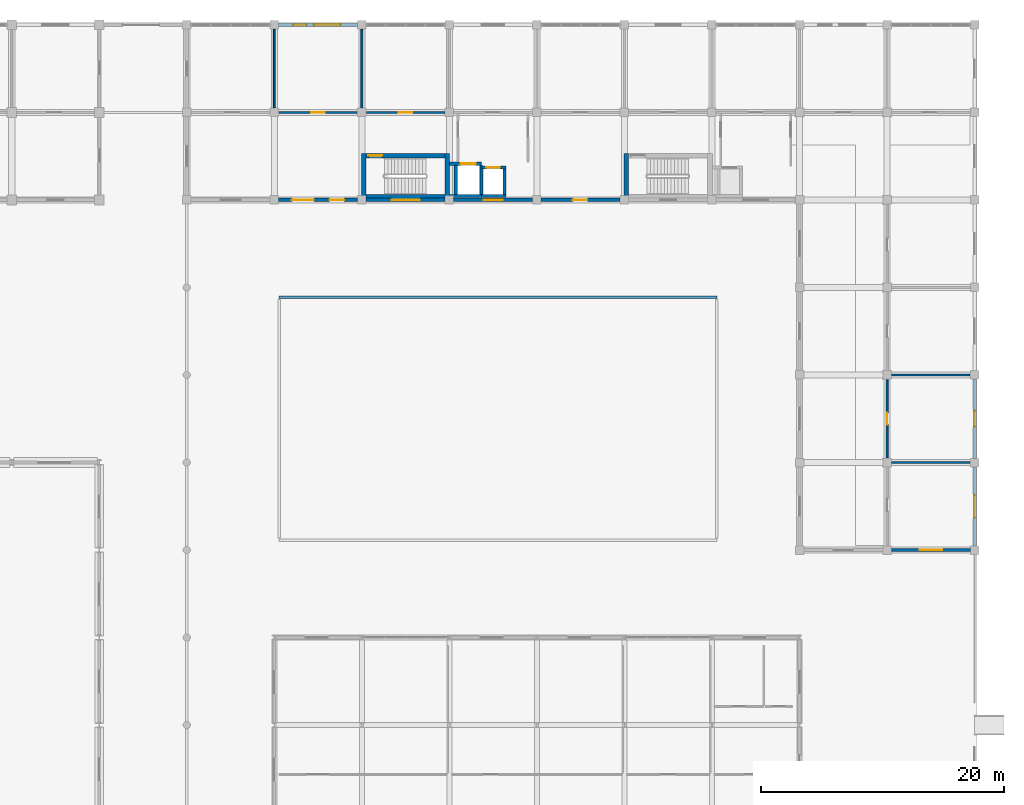
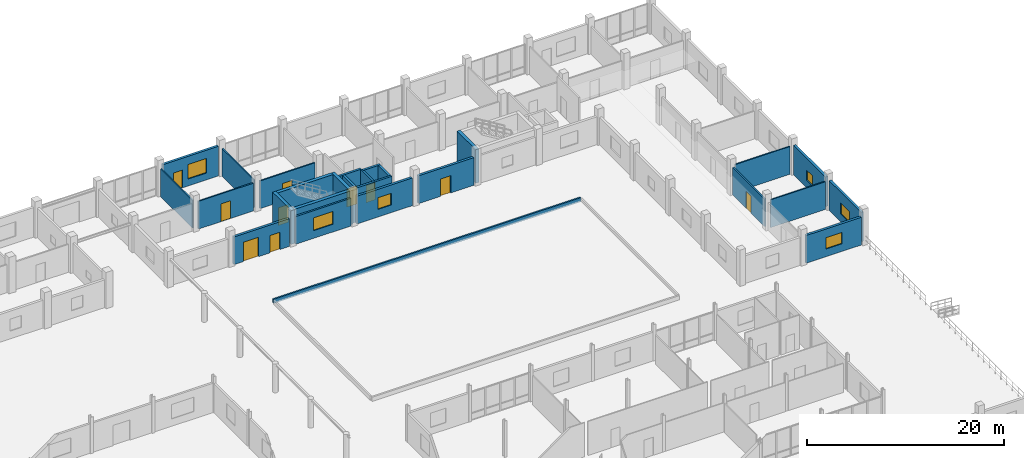
# One storey, part 124 of 139: 28 walls, 10 doors, 6 windows, 16 openings.
"""IFC4 building model written with IfcOpenShell, lengths in metres."""

import ifcopenshell
import ifcopenshell.guid

model = None  # the IFC model being written
_history = None  # IfcOwnerHistory: only IFC2X3 demands one
_inside = {}  # id of a spatial element -> (the spatial element, [elements in it])
_under = {}  # id of a project, library or spatial element -> (it, [spatial elements below it])
_declared = {}  # id of a project -> (the project, [libraries it declares])
_typed = {}  # id of a type object -> (the type object, [elements of that type])
_made_of = {}  # id of a material, layer set ... -> (it, [elements and type objects made of it])


def new_model(schema):
    """Start an empty IFC model of exactly this schema.

    Asked for "IFC4X3", IfcOpenShell would pick the latest addendum, in which some entities
    have other attributes; the version numbers below select the first issue.
    IFC2X3 requires an IfcOwnerHistory on every rooted entity: one is made here for all.
    """
    global model, _history
    if schema == "IFC4X3":
        model = ifcopenshell.file(schema_version=(4, 3, 0, 0))
    else:
        model = ifcopenshell.file(schema=schema)
    _inside.clear()
    _under.clear()
    _declared.clear()
    _typed.clear()
    _made_of.clear()
    _history = None
    if model.schema == "IFC2X3":
        org = make("IfcOrganization", Name="unknown")
        user = make(
            "IfcPersonAndOrganization",
            ThePerson=make("IfcPerson", FamilyName="unknown"),
            TheOrganization=org,
        )
        app = make(
            "IfcApplication",
            ApplicationDeveloper=org,
            Version="unknown",
            ApplicationFullName="unknown",
            ApplicationIdentifier="unknown",
        )
        _history = make(
            "IfcOwnerHistory",
            OwningUser=user,
            OwningApplication=app,
            ChangeAction="ADDED",
            CreationDate=0,
        )
    return model


def make(cls, **values):
    """One entity of the class cls with the attributes given. An attribute that is None is left unset."""
    return model.create_entity(
        cls, **{name: value for name, value in values.items() if value is not None}
    )


def rooted(cls, **values):
    """An entity with a GlobalId (a new one), such as an element, a storey or a relation."""
    return make(cls, GlobalId=ifcopenshell.guid.new(), OwnerHistory=_history, **values)


def si_unit(unit_type, name, prefix=None):
    """IfcSIUnit, for example si_unit("LENGTHUNIT", "METRE", prefix="MILLI")."""
    return make("IfcSIUnit", UnitType=unit_type, Prefix=prefix, Name=name)


def assignment(units):
    """IfcUnitAssignment: the units of a project."""
    return None if units is None else make("IfcUnitAssignment", Units=units)


def point(xyz):
    """IfcCartesianPoint."""
    return None if xyz is None else make("IfcCartesianPoint", Coordinates=xyz)


def direction(xyz):
    """IfcDirection."""
    return None if xyz is None else make("IfcDirection", DirectionRatios=xyz)


def frame(location, z_axis=None, x_axis=None):
    """IfcAxis2Placement3D, a coordinate frame: its origin and axes. An axis left out is left unset."""
    return make(
        "IfcAxis2Placement3D",
        Location=point(location),
        Axis=direction(z_axis),
        RefDirection=direction(x_axis),
    )


def frame_2d(location, x_axis=None):
    """IfcAxis2Placement2D, a coordinate frame in the plane: its origin and x axis."""
    return make(
        "IfcAxis2Placement2D", Location=point(location), RefDirection=direction(x_axis)
    )


def origin():
    """The frame at (0, 0, 0) with its axes left unset."""
    return frame((0.0, 0.0, 0.0))


def place(relative_to, where):
    """IfcLocalPlacement: puts the frame where relative to a parent placement (None: the world)."""
    return make(
        "IfcLocalPlacement", PlacementRelTo=relative_to, RelativePlacement=where
    )


def context(
    kind, dimensions, precision=None, world=None, true_north=None, identifier=None
):
    """IfcGeometricRepresentationContext, for example the 3D "Model" context."""
    return make(
        "IfcGeometricRepresentationContext",
        ContextIdentifier=identifier,
        ContextType=kind,
        CoordinateSpaceDimension=dimensions,
        Precision=precision,
        WorldCoordinateSystem=world,
        TrueNorth=true_north,
    )


def subcontext(parent, identifier, kind, view, scale=None):
    """IfcGeometricRepresentationSubContext, for example "Body" below "Model"."""
    return make(
        "IfcGeometricRepresentationSubContext",
        ContextIdentifier=identifier,
        ContextType=kind,
        ParentContext=parent,
        TargetScale=scale,
        TargetView=view,
    )


def project(units=None, contexts=None):
    """IfcProject with its units and contexts."""
    return rooted(
        "IfcProject",
        Name="project",
        RepresentationContexts=contexts,
        UnitsInContext=assignment(units),
    )


def spatial(cls, under=None, at=None, **own):
    """A site, building, storey or space (cls), placed at a placement, below another one or the project."""
    s = rooted(cls, ObjectPlacement=at, **own)
    if under is not None:
        _under.setdefault(under.id(), (under, []))[1].append(s)
    return s


def profile(cls, at=None, kind="AREA", **sizes):
    """A parametric profile (cls). Its sizes go by their IFC names, for example OverallWidth=200.0."""
    return make(cls, ProfileType=kind, Position=at, **sizes)


def rectangle(**sizes):
    """IfcRectangleProfileDef."""
    return profile("IfcRectangleProfileDef", **sizes)


def extrude(swept, where, along, depth):
    """IfcExtrudedAreaSolid: the profile swept, set in the frame where, extruded along a direction by depth."""
    return make(
        "IfcExtrudedAreaSolid",
        SweptArea=swept,
        Position=where,
        ExtrudedDirection=direction(along),
        Depth=depth,
    )


def shape(context_of_items, identifier, shape_type, items):
    """IfcShapeRepresentation: the items that make up one representation, for example the "Body"."""
    return make(
        "IfcShapeRepresentation",
        ContextOfItems=context_of_items,
        RepresentationIdentifier=identifier,
        RepresentationType=shape_type,
        Items=items,
    )


def material(Name=None, Category=None):
    """IfcMaterial."""
    return make("IfcMaterial", Name=Name, Category=Category)


def layer(
    of_material, thickness, ventilated=None, Name=None, Category=None, Priority=None
):
    """IfcMaterialLayer: one layer of a wall or slab, of a material (None: an air gap)."""
    return make(
        "IfcMaterialLayer",
        Material=of_material,
        LayerThickness=thickness,
        IsVentilated=ventilated,
        Name=Name,
        Category=Category,
        Priority=Priority,
    )


def layer_set(layers, Name=None):
    """IfcMaterialLayerSet."""
    return make("IfcMaterialLayerSet", MaterialLayers=layers, LayerSetName=Name)


def made_of(thing, what):
    """Note that an element or type object is made of a material, layer set ...; save() writes the relation."""
    if what is not None:
        _made_of.setdefault(what.id(), (what, []))[1].append(thing)
    return thing


def type_object(cls, material=None, **own):
    """A type object (cls), such as IfcWallType, which elements share."""
    return made_of(rooted(cls, **own), material)


def element(
    cls,
    number,
    at=None,
    inside=None,
    cuts=None,
    type_object=None,
    material=None,
    context=None,
    identifier="Body",
    shape_type=None,
    held_by="IfcProductDefinitionShape",
    body=None,
    shapes=None,
    **own,
):
    """One element of the class cls, such as IfcWall. Its Tag is "e" and its number.

    at: its placement. inside: the storey or other place that contains it. cuts: it is an
    opening in that element (IfcRelVoidsElement). A single representation is given by context,
    identifier, shape_type and body (its items); several are given by shapes. held_by: the class
    of the entity that holds the representations. save() writes the other relations.
    """
    e = rooted(cls, Tag="e%d" % number, ObjectPlacement=at, **own)
    if body is not None:
        shapes = [shape(context, identifier, shape_type, body)]
    if shapes is not None:
        e.Representation = make(held_by, Representations=shapes)
    if inside is not None:
        _inside.setdefault(inside.id(), (inside, []))[1].append(e)
    if cuts is not None:
        rooted(
            "IfcRelVoidsElement", RelatingBuildingElement=cuts, RelatedOpeningElement=e
        )
    if type_object is not None:
        _typed.setdefault(type_object.id(), (type_object, []))[1].append(e)
    return made_of(e, material)


def fill(opening, filler):
    """IfcRelFillsElement: the door or window that sits in an opening."""
    return rooted(
        "IfcRelFillsElement",
        RelatingOpeningElement=opening,
        RelatedBuildingElement=filler,
    )


def aggregate(whole, parts):
    """IfcRelAggregates: a whole, such as a stair, and the parts it consists of."""
    return rooted("IfcRelAggregates", RelatingObject=whole, RelatedObjects=parts)


def save(model, path):
    """Write the relations noted so far, then the file.

    IfcRelAggregates (storeys below a building ...), IfcRelContainedInSpatialStructure (elements
    in a storey), IfcRelDefinesByType, IfcRelAssociatesMaterial and IfcRelDeclares: one each for
    every whole, place, type object, material and project.
    """
    for whole, parts in _under.values():
        aggregate(whole, parts)
    for where, things in _inside.values():
        rooted(
            "IfcRelContainedInSpatialStructure",
            RelatedElements=things,
            RelatingStructure=where,
        )
    for kind, things in _typed.values():
        rooted("IfcRelDefinesByType", RelatedObjects=things, RelatingType=kind)
    for what, things in _made_of.values():
        rooted("IfcRelAssociatesMaterial", RelatedObjects=things, RelatingMaterial=what)
    for by, libraries in _declared.values():
        rooted("IfcRelDeclares", RelatingContext=by, RelatedDefinitions=libraries)
    model.write(path)


model = new_model("IFC4")

# Units and contexts
model_context = context("Model", 3, precision=1e-05, world=origin(), true_north=direction((0.0, 1.0)))
body_context = subcontext(model_context, "Body", "Model", "MODEL_VIEW")
ifc_project = project(units=[si_unit("LENGTHUNIT", "METRE"), si_unit("AREAUNIT", "SQUARE_METRE"), si_unit("VOLUMEUNIT", "CUBIC_METRE"), si_unit("PLANEANGLEUNIT", "RADIAN"), si_unit("MASSUNIT", "GRAM", prefix="KILO")], contexts=[model_context])

# Site, building, storey
site_placement = place(None, origin())
site = spatial("IfcSite", under=ifc_project, at=site_placement, CompositionType="ELEMENT")
building_placement = place(site_placement, origin())
building = spatial("IfcBuilding", under=site, at=building_placement, Name="Suanplinth Sawtooth Commons", CompositionType="ELEMENT")
storey_placement = place(building_placement, origin())
storey = spatial("IfcBuildingStorey", under=building, at=storey_placement, Name="L00", CompositionType="ELEMENT", Elevation=0.0)

# Wall
ifc_material_1 = material(Name="Concrete C40/50", Category="concrete")
ifc_layer_1 = layer(ifc_material_1, 0.3798828125, Name="Lower high-rise RC core shear wall 380mm")
ifc_layer_set_1 = layer_set([ifc_layer_1], Name="Concrete C40/50")
wall_type_1 = type_object("IfcWallType", Name="W-CR01", PredefinedType="SHEAR", material=ifc_layer_set_1)
wall_1_placement = place(storey_placement, frame((137.14990234375, 108.260009765625, 0.0), z_axis=(0.0, 0.0, 1.0), x_axis=(1.0, 0.0, 0.0)))
element("IfcWall", 1, at=wall_1_placement, inside=storey, type_object=wall_type_1, Name="W-L00-C-B1-STS", PredefinedType="SHEAR", context=body_context, shape_type="SweptSolid", body=[
    extrude(rectangle(XDim=6.5, YDim=0.3798828125, at=frame_2d((3.25, 0.0))), origin(), (0.0, 0.0, 1.0), 4.199951171875),
])

# Wall, opening, door
wall_2_placement = place(storey_placement, frame((137.14990234375, 111.639892578125, 0.0), z_axis=(0.0, 0.0, 1.0), x_axis=(1.0, 0.0, 0.0)))
wall_2 = element("IfcWall", 2, at=wall_2_placement, inside=storey, type_object=wall_type_1, Name="W-L00-C-B1-STN", PredefinedType="SHEAR", context=body_context, shape_type="SweptSolid", body=[
    extrude(rectangle(XDim=6.5, YDim=0.3798828125, at=frame_2d((3.25, 0.0))), origin(), (0.0, 0.0, 1.0), 4.199951171875),
])
opening_1_placement = place(wall_2_placement, frame((0.179931640625, 0.0, 0.0)))
opening_1 = element("IfcOpeningElement", 3, at=opening_1_placement, cuts=wall_2, Name="Opening FD0159", PredefinedType="OPENING", context=body_context, shape_type="SweptSolid", body=[
    extrude(rectangle(XDim=1.14990234375, YDim=2.199951171875, at=frame_2d((0.574951171875, 1.10009765625))), frame((0.0, 0.204833984375, 0.0), z_axis=(0.0, -1.0, 0.0), x_axis=(1.0, 0.0, 0.0)), (0.0, 0.0, 1.0), 0.40966796875),
])
ifc_material_2 = material(Name="Teak hardwood fire-rated door assembly", Category="wood")
door_type_1 = type_object("IfcDoorType", Name="FD-01", OperationType="NOTDEFINED", PredefinedType="DOOR", material=ifc_material_2)
door_1_placement = place(opening_1_placement, origin())
door_1 = element("IfcDoor", 4, at=door_1_placement, inside=storey, type_object=door_type_1, Name="Exit Stair Fire Door FD0159", OperationType="SINGLE_SWING_LEFT", OverallHeight=2.199951171875, OverallWidth=1.14990234375, PredefinedType="DOOR", context=body_context, shape_type="SweptSolid", body=[
    extrude(rectangle(XDim=1.14990234375, YDim=2.199951171875, at=frame_2d((0.574951171875, 1.10009765625))), frame((0.0, 0.02490234375, 0.0), z_axis=(0.0, -1.0, 0.0), x_axis=(1.0, 0.0, 0.0)), (0.0, 0.0, 1.0), 0.050048828125),
])
fill(opening_1, door_1)

# Walls
for number, where, z_axis, x_axis, name in (
    (5, (136.9599609375, 108.070068359375, 0.0), (0.0, 0.0, 1.0), (0.0, 1.0, 0.0), "W-L00-C-B1-STW"),
    (6, (143.840087890625, 108.070068359375, 0.0), (0.0, 0.0, 1.0), (0.0, 1.0, 0.0), "W-L00-C-B1-STE"),
    (7, (158.56005859375, 108.070068359375, 0.0), (0.0, 0.0, 1.0), (0.0, 1.0, 0.0), "W-L00-C-B2-STW"),
):
    element("IfcWall", number, at=place(storey_placement, frame(where, z_axis=z_axis, x_axis=x_axis)), inside=storey, type_object=wall_type_1, Name=name, PredefinedType="SHEAR", context=body_context, shape_type="SweptSolid", body=[
        extrude(rectangle(XDim=3.760009765625, YDim=0.3798828125, at=frame_2d((1.8798828125, 0.0))), origin(), (0.0, 0.0, 1.0), 4.199951171875),
    ])

# Wall, openings, doors
ifc_material_3 = material(Name="Precast concrete C40/50", Category="concrete")
ifc_layer_2 = layer(ifc_material_3, 0.280029296875, Name="Insulated precast architectural facade wall 280mm")
ifc_layer_set_2 = layer_set([ifc_layer_2], Name="Precast concrete C40/50")
wall_type_2 = type_object("IfcWallType", Name="W-EX01", PredefinedType="ELEMENTEDWALL", material=ifc_layer_set_2)
wall_3_placement = place(storey_placement, frame((129.949951171875, 108.0, 0.0), z_axis=(0.0, 0.0, 1.0), x_axis=(1.0, 0.0, 0.0)))
wall_3 = element("IfcWall", 8, at=wall_3_placement, inside=storey, type_object=wall_type_2, Name="Facade Wall W-L00-B-S-18-15", PredefinedType="ELEMENTEDWALL", context=body_context, shape_type="SweptSolid", body=[
    extrude(rectangle(XDim=6.5, YDim=0.280029296875, at=frame_2d((3.25, 0.0))), origin(), (0.0, 0.0, 1.0), 3.43505859375),
])
opening_2_placement = place(wall_3_placement, frame((1.10009765625, 0.0, 0.0)))
opening_2 = element("IfcOpeningElement", 9, at=opening_2_placement, cuts=wall_3, Name="Opening ED0026", PredefinedType="OPENING", context=body_context, shape_type="SweptSolid", body=[
    extrude(rectangle(XDim=1.800048828125, YDim=2.39990234375, at=frame_2d((0.89990234375, 1.199951171875))), frame((0.0, 0.15478515625, 0.0), z_axis=(0.0, -1.0, 0.0), x_axis=(1.0, 0.0, 0.0)), (0.0, 0.0, 1.0), 0.309814453125),
])
opening_3_placement = place(wall_3_placement, frame((4.199951171875, 0.0, 0.0)))
opening_3 = element("IfcOpeningElement", 10, at=opening_3_placement, cuts=wall_3, Name="Opening ED0027", PredefinedType="OPENING", context=body_context, shape_type="SweptSolid", body=[
    extrude(rectangle(XDim=1.199951171875, YDim=2.14990234375, at=frame_2d((0.60009765625, 1.074951171875))), frame((0.0, 0.15478515625, 0.0), z_axis=(0.0, -1.0, 0.0), x_axis=(1.0, 0.0, 0.0)), (0.0, 0.0, 1.0), 0.309814453125),
])
ifc_material_4 = material(Name="Anodized aluminium and laminated glass", Category="aluminium")
door_type_2 = type_object("IfcDoorType", Name="ED-01", OperationType="DOUBLE_DOOR_SINGLE_SWING", PredefinedType="DOOR", material=ifc_material_4)
door_2_placement = place(opening_2_placement, frame((1.800048828125, 0.0, 0.0), z_axis=(0.0, 0.0, 1.0), x_axis=(-1.0, 0.0, 0.0)))
door_2 = element("IfcDoor", 11, at=door_2_placement, inside=storey, type_object=door_type_2, Name="Wing B Main Entrance", OperationType="DOUBLE_DOOR_SINGLE_SWING", OverallHeight=2.39990234375, OverallWidth=1.800048828125, PredefinedType="DOOR", context=body_context, shape_type="SweptSolid", body=[
    extrude(rectangle(XDim=1.800048828125, YDim=2.39990234375, at=frame_2d((0.89990234375, 1.199951171875))), frame((0.0, 0.02490234375, 0.0), z_axis=(0.0, -1.0, 0.0), x_axis=(1.0, 0.0, 0.0)), (0.0, 0.0, 1.0), 0.050048828125),
])
fill(opening_2, door_2)
ifc_material_5 = material(Name="Galvanized painted steel", Category="steel")
door_type_3 = type_object("IfcDoorType", Name="ED-07", OperationType="NOTDEFINED", PredefinedType="DOOR", material=ifc_material_5)
door_3_placement = place(opening_3_placement, frame((1.199951171875, 0.0, 0.0), z_axis=(0.0, 0.0, 1.0), x_axis=(-1.0, 0.0, 0.0)))
door_3 = element("IfcDoor", 12, at=door_3_placement, inside=storey, type_object=door_type_3, Name="Stair Final Discharge 1 B", OperationType="SINGLE_SWING_LEFT", OverallHeight=2.14990234375, OverallWidth=1.199951171875, PredefinedType="DOOR", context=body_context, shape_type="SweptSolid", body=[
    extrude(rectangle(XDim=1.199951171875, YDim=2.14990234375, at=frame_2d((0.60009765625, 1.074951171875))), frame((0.0, 0.02490234375, 0.0), z_axis=(0.0, -1.0, 0.0), x_axis=(1.0, 0.0, 0.0)), (0.0, 0.0, 1.0), 0.050048828125),
])
fill(opening_3, door_3)

# Wall, openings, door, window
wall_4_placement = place(storey_placement, frame((129.949951171875, 122.39990234375, 0.0), z_axis=(0.0, 0.0, 1.0), x_axis=(1.0, 0.0, 0.0)))
wall_4 = element("IfcWall", 13, at=wall_4_placement, inside=storey, type_object=wall_type_2, Name="Facade Wall W-L00-B-N-18-16", PredefinedType="ELEMENTEDWALL", context=body_context, shape_type="SweptSolid", body=[
    extrude(rectangle(XDim=6.5, YDim=0.280029296875, at=frame_2d((3.25, 0.0))), origin(), (0.0, 0.0, 1.0), 3.6650390625),
])
opening_4_placement = place(wall_4_placement, frame((1.199951171875, 0.0, 0.0)))
opening_4 = element("IfcOpeningElement", 14, at=opening_4_placement, cuts=wall_4, Name="Opening ED0028", PredefinedType="OPENING", context=body_context, shape_type="SweptSolid", body=[
    extrude(rectangle(XDim=1.10009765625, YDim=2.199951171875, at=frame_2d((0.550048828125, 1.10009765625))), frame((0.0, 0.15478515625, 0.0), z_axis=(0.0, -1.0, 0.0), x_axis=(1.0, 0.0, 0.0)), (0.0, 0.0, 1.0), 0.309814453125),
])
opening_5_placement = place(wall_4_placement, frame((2.89990234375, 0.0, 0.85009765625)))
opening_5 = element("IfcOpeningElement", 15, at=opening_5_placement, cuts=wall_4, Name="Opening W0102", PredefinedType="OPENING", context=body_context, shape_type="SweptSolid", body=[
    extrude(rectangle(XDim=2.199951171875, YDim=1.800048828125, at=frame_2d((1.10009765625, 0.89990234375))), frame((0.0, 0.15478515625, 0.0), z_axis=(0.0, -1.0, 0.0), x_axis=(1.0, 0.0, 0.0)), (0.0, 0.0, 1.0), 0.309814453125),
])
ifc_material_6 = material(Name="Anodized aluminium and clear glass", Category="aluminium")
door_type_4 = type_object("IfcDoorType", Name="ED-06", OperationType="NOTDEFINED", PredefinedType="DOOR", material=ifc_material_6)
door_4_placement = place(opening_4_placement, frame((1.10009765625, 0.0, 0.0), z_axis=(0.0, 0.0, 1.0), x_axis=(-1.0, 0.0, 0.0)))
door_4 = element("IfcDoor", 16, at=door_4_placement, inside=storey, type_object=door_type_4, Name="Ground Shop Entrance B-18", OperationType="SINGLE_SWING_LEFT", OverallHeight=2.199951171875, OverallWidth=1.10009765625, PredefinedType="DOOR", context=body_context, shape_type="SweptSolid", body=[
    extrude(rectangle(XDim=1.10009765625, YDim=2.199951171875, at=frame_2d((0.550048828125, 1.10009765625))), frame((0.0, 0.02490234375, 0.0), z_axis=(0.0, -1.0, 0.0), x_axis=(1.0, 0.0, 0.0)), (0.0, 0.0, 1.0), 0.050048828125),
])
fill(opening_4, door_4)
ifc_material_7 = material(Name="Thermally broken aluminium and low-E double glazing", Category="aluminium")
window_type_1 = type_object("IfcWindowType", Name="WN-11", PartitioningType="TRIPLE_PANEL_VERTICAL", PredefinedType="WINDOW", material=ifc_material_7)
window_1_placement = place(opening_5_placement, origin())
window_1 = element("IfcWindow", 17, at=window_1_placement, inside=storey, type_object=window_type_1, Name="Shopfront Window B-18", OverallHeight=1.800048828125, OverallWidth=2.199951171875, PartitioningType="TRIPLE_PANEL_VERTICAL", PredefinedType="WINDOW", context=body_context, shape_type="SweptSolid", body=[
    extrude(rectangle(XDim=2.199951171875, YDim=1.800048828125, at=frame_2d((1.10009765625, 0.89990234375))), frame((0.0, 0.030029296875, 0.0), z_axis=(0.0, -1.0, 0.0), x_axis=(1.0, 0.0, 0.0)), (0.0, 0.0, 1.0), 0.06005859375),
])
fill(opening_5, window_1)

# Wall, opening, window
wall_5_placement = place(storey_placement, frame((137.14990234375, 108.0, 0.0), z_axis=(0.0, 0.0, 1.0), x_axis=(1.0, 0.0, 0.0)))
wall_5 = element("IfcWall", 18, at=wall_5_placement, inside=storey, type_object=wall_type_2, Name="Facade Wall W-L00-B-S-19-15", PredefinedType="ELEMENTEDWALL", context=body_context, shape_type="SweptSolid", body=[
    extrude(rectangle(XDim=6.5, YDim=0.280029296875, at=frame_2d((3.25, 0.0))), origin(), (0.0, 0.0, 1.0), 3.43505859375),
])
opening_6_placement = place(wall_5_placement, frame((2.10009765625, 0.0, 0.949951171875)))
opening_6 = element("IfcOpeningElement", 19, at=opening_6_placement, cuts=wall_5, Name="Opening W0103", PredefinedType="OPENING", context=body_context, shape_type="SweptSolid", body=[
    extrude(rectangle(XDim=2.300048828125, YDim=1.60009765625, at=frame_2d((1.14990234375, 0.800048828125))), frame((0.0, 0.15478515625, 0.0), z_axis=(0.0, -1.0, 0.0), x_axis=(1.0, 0.0, 0.0)), (0.0, 0.0, 1.0), 0.309814453125),
])
window_type_2 = type_object("IfcWindowType", Name="WN-21", PartitioningType="TRIPLE_PANEL_VERTICAL", PredefinedType="WINDOW", material=ifc_material_7)
window_2_placement = place(opening_6_placement, origin())
window_2 = element("IfcWindow", 20, at=window_2_placement, inside=storey, type_object=window_type_2, Name="Window L00-B-S-19-15", OverallHeight=1.60009765625, OverallWidth=2.300048828125, PartitioningType="TRIPLE_PANEL_VERTICAL", PredefinedType="WINDOW", context=body_context, shape_type="SweptSolid", body=[
    extrude(rectangle(XDim=2.300048828125, YDim=1.60009765625, at=frame_2d((1.14990234375, 0.800048828125))), frame((0.0, 0.030029296875, 0.0), z_axis=(0.0, -1.0, 0.0), x_axis=(1.0, 0.0, 0.0)), (0.0, 0.0, 1.0), 0.06005859375),
])
fill(opening_6, window_2)

wall_6_placement = place(storey_placement, frame((144.35009765625, 108.0, 0.0), z_axis=(0.0, 0.0, 1.0), x_axis=(1.0, 0.0, 0.0)))
wall_6 = element("IfcWall", 21, at=wall_6_placement, inside=storey, type_object=wall_type_2, Name="Facade Wall W-L00-B-S-20-15", PredefinedType="ELEMENTEDWALL", context=body_context, shape_type="SweptSolid", body=[
    extrude(rectangle(XDim=6.5, YDim=0.280029296875, at=frame_2d((3.25, 0.0))), origin(), (0.0, 0.0, 1.0), 3.43505859375),
])
opening_7_placement = place(wall_6_placement, frame((2.47509765625, 0.0, 0.949951171875)))
opening_7 = element("IfcOpeningElement", 22, at=opening_7_placement, cuts=wall_6, Name="Opening W0104", PredefinedType="OPENING", context=body_context, shape_type="SweptSolid", body=[
    extrude(rectangle(XDim=1.550048828125, YDim=1.449951171875, at=frame_2d((0.77490234375, 0.72509765625))), frame((0.0, 0.15478515625, 0.0), z_axis=(0.0, -1.0, 0.0), x_axis=(1.0, 0.0, 0.0)), (0.0, 0.0, 1.0), 0.309814453125),
])
window_type_3 = type_object("IfcWindowType", Name="WN-22", PartitioningType="DOUBLE_PANEL_VERTICAL", PredefinedType="WINDOW", material=ifc_material_7)
window_3_placement = place(opening_7_placement, origin())
window_3 = element("IfcWindow", 23, at=window_3_placement, inside=storey, type_object=window_type_3, Name="Window L00-B-S-20-15", OverallHeight=1.449951171875, OverallWidth=1.550048828125, PartitioningType="DOUBLE_PANEL_VERTICAL", PredefinedType="WINDOW", context=body_context, shape_type="SweptSolid", body=[
    extrude(rectangle(XDim=1.550048828125, YDim=1.449951171875, at=frame_2d((0.77490234375, 0.72509765625))), frame((0.0, 0.030029296875, 0.0), z_axis=(0.0, -1.0, 0.0), x_axis=(1.0, 0.0, 0.0)), (0.0, 0.0, 1.0), 0.06005859375),
])
fill(opening_7, window_3)

# Wall, opening, door
wall_7_placement = place(storey_placement, frame((151.550048828125, 108.0, 0.0), z_axis=(0.0, 0.0, 1.0), x_axis=(1.0, 0.0, 0.0)))
wall_7 = element("IfcWall", 24, at=wall_7_placement, inside=storey, type_object=wall_type_2, Name="Facade Wall W-L00-B-S-21-15", PredefinedType="ELEMENTEDWALL", context=body_context, shape_type="SweptSolid", body=[
    extrude(rectangle(XDim=6.5, YDim=0.280029296875, at=frame_2d((3.25, 0.0))), origin(), (0.0, 0.0, 1.0), 3.43505859375),
])
opening_8_placement = place(wall_7_placement, frame((2.60009765625, 0.0, 0.0)))
opening_8 = element("IfcOpeningElement", 25, at=opening_8_placement, cuts=wall_7, Name="Opening ED0029", PredefinedType="OPENING", context=body_context, shape_type="SweptSolid", body=[
    extrude(rectangle(XDim=1.199951171875, YDim=2.14990234375, at=frame_2d((0.60009765625, 1.074951171875))), frame((0.0, 0.15478515625, 0.0), z_axis=(0.0, -1.0, 0.0), x_axis=(1.0, 0.0, 0.0)), (0.0, 0.0, 1.0), 0.309814453125),
])
door_5_placement = place(opening_8_placement, frame((1.199951171875, 0.0, 0.0), z_axis=(0.0, 0.0, 1.0), x_axis=(-1.0, 0.0, 0.0)))
door_5 = element("IfcDoor", 26, at=door_5_placement, inside=storey, type_object=door_type_3, Name="Stair Final Discharge 2 B", OperationType="SINGLE_SWING_LEFT", OverallHeight=2.14990234375, OverallWidth=1.199951171875, PredefinedType="DOOR", context=body_context, shape_type="SweptSolid", body=[
    extrude(rectangle(XDim=1.199951171875, YDim=2.14990234375, at=frame_2d((0.60009765625, 1.074951171875))), frame((0.0, 0.02490234375, 0.0), z_axis=(0.0, -1.0, 0.0), x_axis=(1.0, 0.0, 0.0)), (0.0, 0.0, 1.0), 0.050048828125),
])
fill(opening_8, door_5)

# Wall, opening, window
wall_8_placement = place(storey_placement, frame((180.35009765625, 79.199951171875, 0.0), z_axis=(0.0, 0.0, 1.0), x_axis=(1.0, 0.0, 0.0)))
wall_8 = element("IfcWall", 27, at=wall_8_placement, inside=storey, type_object=wall_type_2, Name="Facade Wall W-L00-B-S-25-11", PredefinedType="ELEMENTEDWALL", context=body_context, shape_type="SweptSolid", body=[
    extrude(rectangle(XDim=6.5, YDim=0.280029296875, at=frame_2d((3.25, 0.0))), origin(), (0.0, 0.0, 1.0), 3.43505859375),
])
opening_9_placement = place(wall_8_placement, frame((2.324951171875, 0.0, 0.949951171875)))
opening_9 = element("IfcOpeningElement", 28, at=opening_9_placement, cuts=wall_8, Name="Opening W0115", PredefinedType="OPENING", context=body_context, shape_type="SweptSolid", body=[
    extrude(rectangle(XDim=1.85009765625, YDim=1.39990234375, at=frame_2d((0.925048828125, 0.699951171875))), frame((0.0, 0.15478515625, 0.0), z_axis=(0.0, -1.0, 0.0), x_axis=(1.0, 0.0, 0.0)), (0.0, 0.0, 1.0), 0.309814453125),
])
window_type_4 = type_object("IfcWindowType", Name="WN-23", PartitioningType="DOUBLE_PANEL_VERTICAL", PredefinedType="WINDOW", material=ifc_material_7)
window_4_placement = place(opening_9_placement, origin())
window_4 = element("IfcWindow", 29, at=window_4_placement, inside=storey, type_object=window_type_4, Name="Window L00-B-S-25-11", OverallHeight=1.39990234375, OverallWidth=1.85009765625, PartitioningType="DOUBLE_PANEL_VERTICAL", PredefinedType="WINDOW", context=body_context, shape_type="SweptSolid", body=[
    extrude(rectangle(XDim=1.85009765625, YDim=1.39990234375, at=frame_2d((0.925048828125, 0.699951171875))), frame((0.0, 0.030029296875, 0.0), z_axis=(0.0, -1.0, 0.0), x_axis=(1.0, 0.0, 0.0)), (0.0, 0.0, 1.0), 0.06005859375),
])
fill(opening_9, window_4)

wall_9_placement = place(storey_placement, frame((187.199951171875, 79.550048828125, 0.0), z_axis=(0.0, 0.0, 1.0), x_axis=(0.0, 1.0, 0.0)))
wall_9 = element("IfcWall", 30, at=wall_9_placement, inside=storey, type_object=wall_type_2, Name="Facade Wall W-L00-B-E-25-11", PredefinedType="ELEMENTEDWALL", context=body_context, shape_type="SweptSolid", body=[
    extrude(rectangle(XDim=6.5, YDim=0.280029296875, at=frame_2d((3.25, 0.0))), origin(), (0.0, 0.0, 1.0), 3.6650390625),
])
opening_10_placement = place(wall_9_placement, frame((2.324951171875, 0.0, 0.949951171875)))
opening_10 = element("IfcOpeningElement", 31, at=opening_10_placement, cuts=wall_9, Name="Opening W0116", PredefinedType="OPENING", context=body_context, shape_type="SweptSolid", body=[
    extrude(rectangle(XDim=1.85009765625, YDim=1.39990234375, at=frame_2d((0.925048828125, 0.699951171875))), frame((0.0, 0.15478515625, 0.0), z_axis=(0.0, -1.0, 0.0), x_axis=(1.0, 0.0, 0.0)), (0.0, 0.0, 1.0), 0.309814453125),
])
window_5_placement = place(opening_10_placement, origin())
window_5 = element("IfcWindow", 32, at=window_5_placement, inside=storey, type_object=window_type_4, Name="Window L00-B-E-25-11", OverallHeight=1.39990234375, OverallWidth=1.85009765625, PartitioningType="DOUBLE_PANEL_VERTICAL", PredefinedType="WINDOW", context=body_context, shape_type="SweptSolid", body=[
    extrude(rectangle(XDim=1.85009765625, YDim=1.39990234375, at=frame_2d((0.925048828125, 0.699951171875))), frame((0.0, 0.030029296875, 0.0), z_axis=(0.0, -1.0, 0.0), x_axis=(1.0, 0.0, 0.0)), (0.0, 0.0, 1.0), 0.06005859375),
])
fill(opening_10, window_5)

wall_10_placement = place(storey_placement, frame((187.199951171875, 86.75, 0.0), z_axis=(0.0, 0.0, 1.0), x_axis=(0.0, 1.0, 0.0)))
wall_10 = element("IfcWall", 33, at=wall_10_placement, inside=storey, type_object=wall_type_2, Name="Facade Wall W-L00-B-E-25-12", PredefinedType="ELEMENTEDWALL", context=body_context, shape_type="SweptSolid", body=[
    extrude(rectangle(XDim=6.5, YDim=0.280029296875, at=frame_2d((3.25, 0.0))), origin(), (0.0, 0.0, 1.0), 3.6650390625),
])
opening_11_placement = place(wall_10_placement, frame((2.60009765625, 0.0, 0.949951171875)))
opening_11 = element("IfcOpeningElement", 34, at=opening_11_placement, cuts=wall_10, Name="Opening W0117", PredefinedType="OPENING", context=body_context, shape_type="SweptSolid", body=[
    extrude(rectangle(XDim=1.300048828125, YDim=1.25, at=frame_2d((0.64990234375, 0.625))), frame((0.0, 0.15478515625, 0.0), z_axis=(0.0, -1.0, 0.0), x_axis=(1.0, 0.0, 0.0)), (0.0, 0.0, 1.0), 0.309814453125),
])
window_type_5 = type_object("IfcWindowType", Name="WN-24", PartitioningType="SINGLE_PANEL", PredefinedType="WINDOW", material=ifc_material_7)
window_6_placement = place(opening_11_placement, origin())
window_6 = element("IfcWindow", 35, at=window_6_placement, inside=storey, type_object=window_type_5, Name="Window L00-B-E-25-12", OverallHeight=1.25, OverallWidth=1.300048828125, PartitioningType="SINGLE_PANEL", PredefinedType="WINDOW", context=body_context, shape_type="SweptSolid", body=[
    extrude(rectangle(XDim=1.300048828125, YDim=1.25, at=frame_2d((0.64990234375, 0.625))), frame((0.0, 0.030029296875, 0.0), z_axis=(0.0, -1.0, 0.0), x_axis=(1.0, 0.0, 0.0)), (0.0, 0.0, 1.0), 0.06005859375),
])
fill(opening_11, window_6)

# Wall, opening, door
ifc_layer_3 = layer(ifc_material_3, 0.159912109375, Name="Fire-rated corridor and lobby wall 160mm")
ifc_layer_set_3 = layer_set([ifc_layer_3], Name="Precast concrete C40/50")
wall_type_3 = type_object("IfcWallType", Name="W-FW01", PredefinedType="PARTITIONING", material=ifc_layer_set_3)
wall_11_placement = place(storey_placement, frame((129.97998046875, 115.199951171875, 0.0), z_axis=(0.0, 0.0, 1.0), x_axis=(1.0, 0.0, 0.0)))
wall_11 = element("IfcWall", 36, at=wall_11_placement, inside=storey, type_object=wall_type_3, Name="W-B-L00-GROUNDROOM-17-COR", PredefinedType="PARTITIONING", context=body_context, shape_type="SweptSolid", body=[
    extrude(rectangle(XDim=6.43994140625, YDim=0.159912109375, at=frame_2d((3.219970703125, 0.0))), origin(), (0.0, 0.0, 1.0), 3.43505859375),
])
opening_12_placement = place(wall_11_placement, frame((2.659912109375, 0.0, 0.0)))
opening_12 = element("IfcOpeningElement", 37, at=opening_12_placement, cuts=wall_11, Name="Opening D0487", PredefinedType="OPENING", context=body_context, shape_type="SweptSolid", body=[
    extrude(rectangle(XDim=1.1201171875, YDim=2.199951171875, at=frame_2d((0.56005859375, 1.10009765625))), frame((0.0, 0.0947265625, 0.0), z_axis=(0.0, -1.0, 0.0), x_axis=(1.0, 0.0, 0.0)), (0.0, 0.0, 1.0), 0.189697265625),
])
ifc_material_8 = material(Name="Teak hardwood", Category="wood")
door_type_5 = type_object("IfcDoorType", Name="D-18", OperationType="NOTDEFINED", PredefinedType="DOOR", material=ifc_material_8)
door_6_placement = place(opening_12_placement, origin())
door_6 = element("IfcDoor", 38, at=door_6_placement, inside=storey, type_object=door_type_5, Name="Unit Entrance Door D0487", OperationType="SINGLE_SWING_LEFT", OverallHeight=2.199951171875, OverallWidth=1.1201171875, PredefinedType="DOOR", context=body_context, shape_type="SweptSolid", body=[
    extrude(rectangle(XDim=1.1201171875, YDim=2.199951171875, at=frame_2d((0.56005859375, 1.10009765625))), frame((0.0, 0.02490234375, 0.0), z_axis=(0.0, -1.0, 0.0), x_axis=(1.0, 0.0, 0.0)), (0.0, 0.0, 1.0), 0.050048828125),
])
fill(opening_12, door_6)

wall_12_placement = place(storey_placement, frame((137.179931640625, 115.199951171875, 0.0), z_axis=(0.0, 0.0, 1.0), x_axis=(1.0, 0.0, 0.0)))
wall_12 = element("IfcWall", 39, at=wall_12_placement, inside=storey, type_object=wall_type_3, Name="W-B-L00-GROUNDROOM-18-COR", PredefinedType="PARTITIONING", context=body_context, shape_type="SweptSolid", body=[
    extrude(rectangle(XDim=6.440185546875, YDim=0.159912109375, at=frame_2d((3.22021484375, 0.0))), origin(), (0.0, 0.0, 1.0), 3.43505859375),
])
opening_13_placement = place(wall_12_placement, frame((2.659912109375, 0.0, 0.0)))
opening_13 = element("IfcOpeningElement", 40, at=opening_13_placement, cuts=wall_12, Name="Opening D0488", PredefinedType="OPENING", context=body_context, shape_type="SweptSolid", body=[
    extrude(rectangle(XDim=1.1201171875, YDim=2.199951171875, at=frame_2d((0.56005859375, 1.10009765625))), frame((0.0, 0.0947265625, 0.0), z_axis=(0.0, -1.0, 0.0), x_axis=(1.0, 0.0, 0.0)), (0.0, 0.0, 1.0), 0.189697265625),
])
door_7_placement = place(opening_13_placement, origin())
door_7 = element("IfcDoor", 41, at=door_7_placement, inside=storey, type_object=door_type_5, Name="Unit Entrance Door D0488", OperationType="SINGLE_SWING_RIGHT", OverallHeight=2.199951171875, OverallWidth=1.1201171875, PredefinedType="DOOR", context=body_context, shape_type="SweptSolid", body=[
    extrude(rectangle(XDim=1.1201171875, YDim=2.199951171875, at=frame_2d((0.56005859375, 1.10009765625))), frame((0.0, 0.02490234375, 0.0), z_axis=(0.0, -1.0, 0.0), x_axis=(1.0, 0.0, 0.0)), (0.0, 0.0, 1.0), 0.050048828125),
])
fill(opening_13, door_7)

wall_13_placement = place(storey_placement, frame((180.0, 86.780029296875, 0.0), z_axis=(0.0, 0.0, 1.0), x_axis=(0.0, 1.0, 0.0)))
wall_13 = element("IfcWall", 42, at=wall_13_placement, inside=storey, type_object=wall_type_3, Name="W-B-L00-GROUNDROOM-26-COR", PredefinedType="PARTITIONING", context=body_context, shape_type="SweptSolid", body=[
    extrude(rectangle(XDim=6.43994140625, YDim=0.159912109375, at=frame_2d((3.219970703125, 0.0))), origin(), (0.0, 0.0, 1.0), 3.43505859375),
])
opening_14_placement = place(wall_13_placement, frame((2.719970703125, 0.0, 0.0)))
opening_14 = element("IfcOpeningElement", 43, at=opening_14_placement, cuts=wall_13, Name="Opening FD0496", PredefinedType="OPENING", context=body_context, shape_type="SweptSolid", body=[
    extrude(rectangle(XDim=1.0, YDim=2.14990234375, at=frame_2d((0.5, 1.074951171875))), frame((0.0, 0.0947265625, 0.0), z_axis=(0.0, -1.0, 0.0), x_axis=(1.0, 0.0, 0.0)), (0.0, 0.0, 1.0), 0.189697265625),
])
door_type_6 = type_object("IfcDoorType", Name="FD-03", OperationType="NOTDEFINED", PredefinedType="DOOR", material=ifc_material_2)
door_8_placement = place(opening_14_placement, frame((1.0, 0.0, 0.0), z_axis=(0.0, 0.0, 1.0), x_axis=(-1.0, 0.0, 0.0)))
door_8 = element("IfcDoor", 44, at=door_8_placement, inside=storey, type_object=door_type_6, Name="Wing Unit Entrance Door FD0496", OperationType="SINGLE_SWING_RIGHT", OverallHeight=2.14990234375, OverallWidth=1.0, PredefinedType="DOOR", context=body_context, shape_type="SweptSolid", body=[
    extrude(rectangle(XDim=1.0, YDim=2.14990234375, at=frame_2d((0.5, 1.074951171875))), frame((0.0, 0.02490234375, 0.0), z_axis=(0.0, -1.0, 0.0), x_axis=(1.0, 0.0, 0.0)), (0.0, 0.0, 1.0), 0.050048828125),
])
fill(opening_14, door_8)

# Walls
ifc_layer_4 = layer(ifc_material_3, 0.14990234375, Name="Acoustic precast party demising wall 150mm")
ifc_layer_set_4 = layer_set([ifc_layer_4], Name="Precast concrete C40/50")
wall_type_4 = type_object("IfcWallType", Name="W-FW02", PredefinedType="PARTITIONING", material=ifc_layer_set_4)
for number, where, z_axis, x_axis, name in (
    (45, (129.60009765625, 115.580078125, 0.0), (0.0, 0.0, 1.0), (0.0, 1.0, 0.0), "W-B-L00-GROUNDROOM-16-PTY"),
    (46, (136.800048828125, 115.580078125, 0.0), (0.0, 0.0, 1.0), (0.0, 1.0, 0.0), "W-B-L00-GROUNDROOM-17-PTY"),
):
    element("IfcWall", number, at=place(storey_placement, frame(where, z_axis=z_axis, x_axis=x_axis)), inside=storey, type_object=wall_type_4, Name=name, PredefinedType="PARTITIONING", context=body_context, shape_type="SweptSolid", body=[
        extrude(rectangle(XDim=6.43994140625, YDim=0.14990234375, at=frame_2d((3.219970703125, 0.0))), origin(), (0.0, 0.0, 1.0), 3.43505859375),
    ])
for number, where, z_axis, x_axis, name in (
    (47, (180.3798828125, 86.39990234375, 0.0), (0.0, 0.0, 1.0), (1.0, 0.0, 0.0), "W-B-L00-GROUNDROOM-25-PTY"),
    (48, (180.3798828125, 93.60009765625, 0.0), (0.0, 0.0, 1.0), (1.0, 0.0, 0.0), "W-B-L00-GROUNDROOM-26-PTY"),
):
    element("IfcWall", number, at=place(storey_placement, frame(where, z_axis=z_axis, x_axis=x_axis)), inside=storey, type_object=wall_type_4, Name=name, PredefinedType="PARTITIONING", context=body_context, shape_type="SweptSolid", body=[
        extrude(rectangle(XDim=6.440185546875, YDim=0.14990234375, at=frame_2d((3.22021484375, 0.0))), origin(), (0.0, 0.0, 1.0), 3.43505859375),
    ])
ifc_layer_5 = layer(ifc_material_3, 0.179931640625, Name="Terrace & courtyard planter kerb wall 180mm")
ifc_layer_set_5 = layer_set([ifc_layer_5], Name="Precast concrete C40/50")
wall_type_5 = type_object("IfcWallType", Name="W-PR02", PredefinedType="PARAPET", material=ifc_layer_set_5)
wall_14_placement = place(storey_placement, frame((130.0, 100.0, 0.0), z_axis=(0.0, 0.0, 1.0), x_axis=(1.0, 0.0, 0.0)))
element("IfcWall", 49, at=wall_14_placement, inside=storey, type_object=wall_type_5, Name="North-East Courtyard Banyan Shade Garden Kerb N", PredefinedType="PARAPET", context=body_context, shape_type="SweptSolid", body=[
    extrude(rectangle(XDim=36.0, YDim=0.179931640625, at=frame_2d((18.0, 0.0))), origin(), (0.0, 0.0, 1.0), 0.52001953125),
])
ifc_layer_6 = layer(ifc_material_3, 0.25, Name="Precast structural shear wall 250mm")
ifc_layer_set_6 = layer_set([ifc_layer_6], Name="Precast concrete C40/50")
wall_type_6 = type_object("IfcWallType", Name="W-SH01", PredefinedType="SHEAR", material=ifc_layer_set_6)
wall_15_placement = place(storey_placement, frame((144.030029296875, 108.324951171875, 0.0), z_axis=(0.0, 0.0, 1.0), x_axis=(1.0, 0.0, 0.0)))
element("IfcWall", 50, at=wall_15_placement, inside=storey, type_object=wall_type_6, Name="W-L00-FL2-S", PredefinedType="SHEAR", context=body_context, shape_type="SweptSolid", body=[
    extrude(rectangle(XDim=2.594970703125, YDim=0.25, at=frame_2d((1.29736328125, 0.0))), origin(), (0.0, 0.0, 1.0), 4.199951171875),
])

# Wall, opening, door
wall_16_placement = place(storey_placement, frame((144.030029296875, 110.97509765625, 0.0), z_axis=(0.0, 0.0, 1.0), x_axis=(1.0, 0.0, 0.0)))
wall_16 = element("IfcWall", 51, at=wall_16_placement, inside=storey, type_object=wall_type_6, Name="W-L00-FL2-N", PredefinedType="SHEAR", context=body_context, shape_type="SweptSolid", body=[
    extrude(rectangle(XDim=2.594970703125, YDim=0.25, at=frame_2d((1.29736328125, 0.0))), origin(), (0.0, 0.0, 1.0), 4.199951171875),
])
opening_15_placement = place(wall_16_placement, frame((0.919921875, 0.0, 0.0)))
opening_15 = element("IfcOpeningElement", 52, at=opening_15_placement, cuts=wall_16, Name="Opening LD0162", PredefinedType="OPENING", context=body_context, shape_type="SweptSolid", body=[
    extrude(rectangle(XDim=1.199951171875, YDim=2.25, at=frame_2d((0.60009765625, 1.125))), frame((0.0, 0.139892578125, 0.0), z_axis=(0.0, -1.0, 0.0), x_axis=(1.0, 0.0, 0.0)), (0.0, 0.0, 1.0), 0.27978515625),
])
ifc_material_9 = material(Name="Stainless steel Grade 304", Category="steel")
door_type_7 = type_object("IfcDoorType", Name="LD-02", OperationType="SLIDING_TO_LEFT", PredefinedType="DOOR", material=ifc_material_9)
door_9_placement = place(opening_15_placement, origin())
door_9 = element("IfcDoor", 53, at=door_9_placement, inside=storey, type_object=door_type_7, Name="Lift Landing Sliding Door FL2 L00", OperationType="SLIDING_TO_LEFT", OverallHeight=2.25, OverallWidth=1.199951171875, PredefinedType="DOOR", context=body_context, shape_type="SweptSolid", body=[
    extrude(rectangle(XDim=1.199951171875, YDim=2.25, at=frame_2d((0.60009765625, 1.125))), frame((0.0, 0.02490234375, 0.0), z_axis=(0.0, -1.0, 0.0), x_axis=(1.0, 0.0, 0.0)), (0.0, 0.0, 1.0), 0.050048828125),
])
fill(opening_15, door_9)

# Walls
for number, where, z_axis, x_axis, name in (
    (54, (144.52490234375, 108.449951171875, 0.0), (0.0, 0.0, 1.0), (0.0, 1.0, 0.0), "W-L00-FL2-W"),
    (55, (146.625, 108.449951171875, 0.0), (0.0, 0.0, 1.0), (0.0, 1.0, 0.0), "W-L00-FL2-DIV"),
):
    element("IfcWall", number, at=place(storey_placement, frame(where, z_axis=z_axis, x_axis=x_axis)), inside=storey, type_object=wall_type_6, Name=name, PredefinedType="SHEAR", context=body_context, shape_type="SweptSolid", body=[
        extrude(rectangle(XDim=2.400146484375, YDim=0.25, at=frame_2d((1.2001953125, 0.0))), origin(), (0.0, 0.0, 1.0), 4.199951171875),
    ])
wall_17_placement = place(storey_placement, frame((146.625, 108.324951171875, 0.0), z_axis=(0.0, 0.0, 1.0), x_axis=(1.0, 0.0, 0.0)))
element("IfcWall", 56, at=wall_17_placement, inside=storey, type_object=wall_type_6, Name="W-L00-LF3-S", PredefinedType="SHEAR", context=body_context, shape_type="SweptSolid", body=[
    extrude(rectangle(XDim=2.02490234375, YDim=0.25, at=frame_2d((1.012451171875, 0.0))), origin(), (0.0, 0.0, 1.0), 4.199951171875),
])

# Wall, opening, door
wall_18_placement = place(storey_placement, frame((146.625, 110.675048828125, 0.0), z_axis=(0.0, 0.0, 1.0), x_axis=(1.0, 0.0, 0.0)))
wall_18 = element("IfcWall", 57, at=wall_18_placement, inside=storey, type_object=wall_type_6, Name="W-L00-LF3-N", PredefinedType="SHEAR", context=body_context, shape_type="SweptSolid", body=[
    extrude(rectangle(XDim=2.02490234375, YDim=0.25, at=frame_2d((1.012451171875, 0.0))), origin(), (0.0, 0.0, 1.0), 4.199951171875),
])
opening_16_placement = place(wall_18_placement, frame((0.425048828125, 0.0, 0.0)))
opening_16 = element("IfcOpeningElement", 58, at=opening_16_placement, cuts=wall_18, Name="Opening LD0163", PredefinedType="OPENING", context=body_context, shape_type="SweptSolid", body=[
    extrude(rectangle(XDim=1.10009765625, YDim=2.14990234375, at=frame_2d((0.550048828125, 1.074951171875))), frame((0.0, 0.139892578125, 0.0), z_axis=(0.0, -1.0, 0.0), x_axis=(1.0, 0.0, 0.0)), (0.0, 0.0, 1.0), 0.27978515625),
])
door_type_8 = type_object("IfcDoorType", Name="LD-01", OperationType="SLIDING_TO_LEFT", PredefinedType="DOOR", material=ifc_material_9)
door_10_placement = place(opening_16_placement, origin())
door_10 = element("IfcDoor", 59, at=door_10_placement, inside=storey, type_object=door_type_8, Name="Lift Landing Sliding Door LF3 L00", OperationType="SLIDING_TO_LEFT", OverallHeight=2.14990234375, OverallWidth=1.10009765625, PredefinedType="DOOR", context=body_context, shape_type="SweptSolid", body=[
    extrude(rectangle(XDim=1.10009765625, YDim=2.14990234375, at=frame_2d((0.550048828125, 1.074951171875))), frame((0.0, 0.02490234375, 0.0), z_axis=(0.0, -1.0, 0.0), x_axis=(1.0, 0.0, 0.0)), (0.0, 0.0, 1.0), 0.050048828125),
])
fill(opening_16, door_10)

# Wall
wall_19_placement = place(storey_placement, frame((148.52490234375, 108.449951171875, 0.0), z_axis=(0.0, 0.0, 1.0), x_axis=(0.0, 1.0, 0.0)))
element("IfcWall", 60, at=wall_19_placement, inside=storey, type_object=wall_type_6, Name="W-L00-LF3-E", PredefinedType="SHEAR", context=body_context, shape_type="SweptSolid", body=[
    extrude(rectangle(XDim=2.10009765625, YDim=0.25, at=frame_2d((1.050048828125, 0.0))), origin(), (0.0, 0.0, 1.0), 4.199951171875),
])

save(model, "model.ifc")
